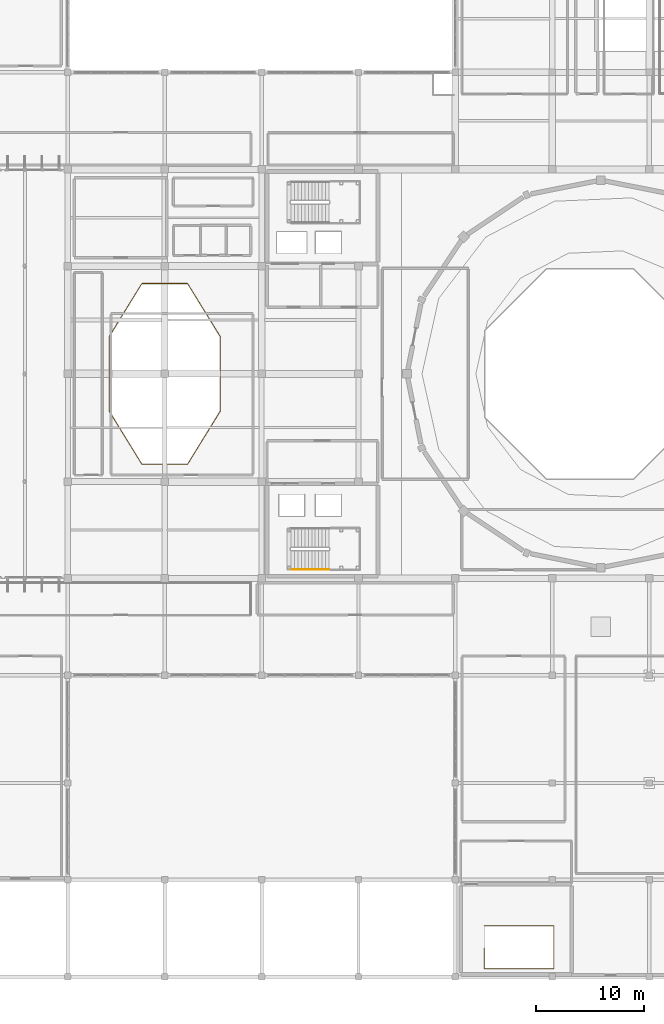
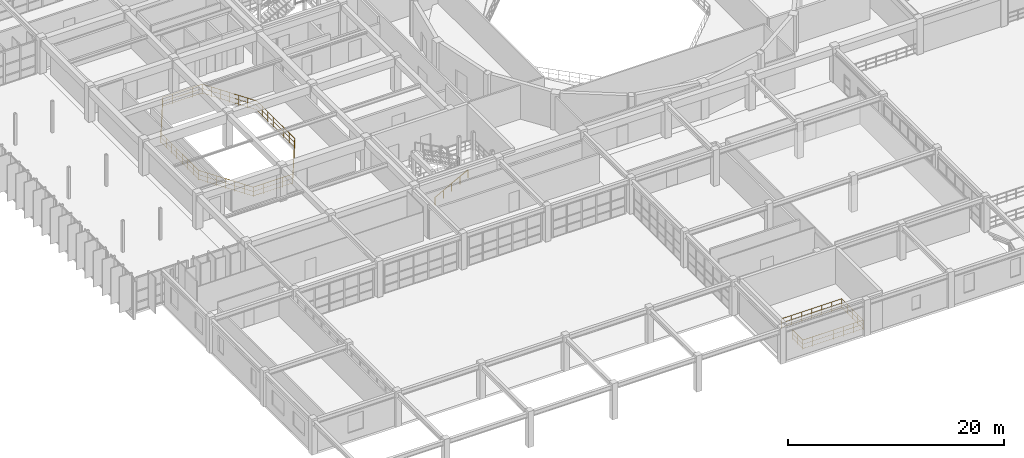
# One storey, part 103 of 110: 3 railings.
"""IFC4 building model written with IfcOpenShell, lengths in metres."""

import ifcopenshell
import ifcopenshell.guid

model = None  # the IFC model being written
_history = None  # IfcOwnerHistory: only IFC2X3 demands one
_inside = {}  # id of a spatial element -> (the spatial element, [elements in it])
_under = {}  # id of a project, library or spatial element -> (it, [spatial elements below it])
_declared = {}  # id of a project -> (the project, [libraries it declares])
_typed = {}  # id of a type object -> (the type object, [elements of that type])
_made_of = {}  # id of a material, layer set ... -> (it, [elements and type objects made of it])


def new_model(schema):
    """Start an empty IFC model of exactly this schema.

    Asked for "IFC4X3", IfcOpenShell would pick the latest addendum, in which some entities
    have other attributes; the version numbers below select the first issue.
    IFC2X3 requires an IfcOwnerHistory on every rooted entity: one is made here for all.
    """
    global model, _history
    if schema == "IFC4X3":
        model = ifcopenshell.file(schema_version=(4, 3, 0, 0))
    else:
        model = ifcopenshell.file(schema=schema)
    _inside.clear()
    _under.clear()
    _declared.clear()
    _typed.clear()
    _made_of.clear()
    _history = None
    if model.schema == "IFC2X3":
        org = make("IfcOrganization", Name="unknown")
        user = make(
            "IfcPersonAndOrganization",
            ThePerson=make("IfcPerson", FamilyName="unknown"),
            TheOrganization=org,
        )
        app = make(
            "IfcApplication",
            ApplicationDeveloper=org,
            Version="unknown",
            ApplicationFullName="unknown",
            ApplicationIdentifier="unknown",
        )
        _history = make(
            "IfcOwnerHistory",
            OwningUser=user,
            OwningApplication=app,
            ChangeAction="ADDED",
            CreationDate=0,
        )
    return model


def make(cls, **values):
    """One entity of the class cls with the attributes given. An attribute that is None is left unset."""
    return model.create_entity(
        cls, **{name: value for name, value in values.items() if value is not None}
    )


def rooted(cls, **values):
    """An entity with a GlobalId (a new one), such as an element, a storey or a relation."""
    return make(cls, GlobalId=ifcopenshell.guid.new(), OwnerHistory=_history, **values)


def si_unit(unit_type, name, prefix=None):
    """IfcSIUnit, for example si_unit("LENGTHUNIT", "METRE", prefix="MILLI")."""
    return make("IfcSIUnit", UnitType=unit_type, Prefix=prefix, Name=name)


def assignment(units):
    """IfcUnitAssignment: the units of a project."""
    return None if units is None else make("IfcUnitAssignment", Units=units)


def point(xyz):
    """IfcCartesianPoint."""
    return None if xyz is None else make("IfcCartesianPoint", Coordinates=xyz)


def direction(xyz):
    """IfcDirection."""
    return None if xyz is None else make("IfcDirection", DirectionRatios=xyz)


def frame(location, z_axis=None, x_axis=None):
    """IfcAxis2Placement3D, a coordinate frame: its origin and axes. An axis left out is left unset."""
    return make(
        "IfcAxis2Placement3D",
        Location=point(location),
        Axis=direction(z_axis),
        RefDirection=direction(x_axis),
    )


def frame_2d(location, x_axis=None):
    """IfcAxis2Placement2D, a coordinate frame in the plane: its origin and x axis."""
    return make(
        "IfcAxis2Placement2D", Location=point(location), RefDirection=direction(x_axis)
    )


def origin():
    """The frame at (0, 0, 0) with its axes left unset."""
    return frame((0.0, 0.0, 0.0))


def origin_2d():
    """The frame at (0, 0) in the plane with its x axis left unset."""
    return frame_2d((0.0, 0.0))


def place(relative_to, where):
    """IfcLocalPlacement: puts the frame where relative to a parent placement (None: the world)."""
    return make(
        "IfcLocalPlacement", PlacementRelTo=relative_to, RelativePlacement=where
    )


def context(
    kind, dimensions, precision=None, world=None, true_north=None, identifier=None
):
    """IfcGeometricRepresentationContext, for example the 3D "Model" context."""
    return make(
        "IfcGeometricRepresentationContext",
        ContextIdentifier=identifier,
        ContextType=kind,
        CoordinateSpaceDimension=dimensions,
        Precision=precision,
        WorldCoordinateSystem=world,
        TrueNorth=true_north,
    )


def subcontext(parent, identifier, kind, view, scale=None):
    """IfcGeometricRepresentationSubContext, for example "Body" below "Model"."""
    return make(
        "IfcGeometricRepresentationSubContext",
        ContextIdentifier=identifier,
        ContextType=kind,
        ParentContext=parent,
        TargetScale=scale,
        TargetView=view,
    )


def project(units=None, contexts=None):
    """IfcProject with its units and contexts."""
    return rooted(
        "IfcProject",
        Name="project",
        RepresentationContexts=contexts,
        UnitsInContext=assignment(units),
    )


def spatial(cls, under=None, at=None, **own):
    """A site, building, storey or space (cls), placed at a placement, below another one or the project."""
    s = rooted(cls, ObjectPlacement=at, **own)
    if under is not None:
        _under.setdefault(under.id(), (under, []))[1].append(s)
    return s


def profile(cls, at=None, kind="AREA", **sizes):
    """A parametric profile (cls). Its sizes go by their IFC names, for example OverallWidth=200.0."""
    return make(cls, ProfileType=kind, Position=at, **sizes)


def circle(**sizes):
    """IfcCircleProfileDef."""
    return profile("IfcCircleProfileDef", **sizes)


def extrude(swept, where, along, depth):
    """IfcExtrudedAreaSolid: the profile swept, set in the frame where, extruded along a direction by depth."""
    return make(
        "IfcExtrudedAreaSolid",
        SweptArea=swept,
        Position=where,
        ExtrudedDirection=direction(along),
        Depth=depth,
    )


def shape(context_of_items, identifier, shape_type, items):
    """IfcShapeRepresentation: the items that make up one representation, for example the "Body"."""
    return make(
        "IfcShapeRepresentation",
        ContextOfItems=context_of_items,
        RepresentationIdentifier=identifier,
        RepresentationType=shape_type,
        Items=items,
    )


def material(Name=None, Category=None):
    """IfcMaterial."""
    return make("IfcMaterial", Name=Name, Category=Category)


def made_of(thing, what):
    """Note that an element or type object is made of a material, layer set ...; save() writes the relation."""
    if what is not None:
        _made_of.setdefault(what.id(), (what, []))[1].append(thing)
    return thing


def type_object(cls, material=None, **own):
    """A type object (cls), such as IfcWallType, which elements share."""
    return made_of(rooted(cls, **own), material)


def element(
    cls,
    number,
    at=None,
    inside=None,
    cuts=None,
    type_object=None,
    material=None,
    context=None,
    identifier="Body",
    shape_type=None,
    held_by="IfcProductDefinitionShape",
    body=None,
    shapes=None,
    **own,
):
    """One element of the class cls, such as IfcWall. Its Tag is "e" and its number.

    at: its placement. inside: the storey or other place that contains it. cuts: it is an
    opening in that element (IfcRelVoidsElement). A single representation is given by context,
    identifier, shape_type and body (its items); several are given by shapes. held_by: the class
    of the entity that holds the representations. save() writes the other relations.
    """
    e = rooted(cls, Tag="e%d" % number, ObjectPlacement=at, **own)
    if body is not None:
        shapes = [shape(context, identifier, shape_type, body)]
    if shapes is not None:
        e.Representation = make(held_by, Representations=shapes)
    if inside is not None:
        _inside.setdefault(inside.id(), (inside, []))[1].append(e)
    if cuts is not None:
        rooted(
            "IfcRelVoidsElement", RelatingBuildingElement=cuts, RelatedOpeningElement=e
        )
    if type_object is not None:
        _typed.setdefault(type_object.id(), (type_object, []))[1].append(e)
    return made_of(e, material)


def aggregate(whole, parts):
    """IfcRelAggregates: a whole, such as a stair, and the parts it consists of."""
    return rooted("IfcRelAggregates", RelatingObject=whole, RelatedObjects=parts)


def save(model, path):
    """Write the relations noted so far, then the file.

    IfcRelAggregates (storeys below a building ...), IfcRelContainedInSpatialStructure (elements
    in a storey), IfcRelDefinesByType, IfcRelAssociatesMaterial and IfcRelDeclares: one each for
    every whole, place, type object, material and project.
    """
    for whole, parts in _under.values():
        aggregate(whole, parts)
    for where, things in _inside.values():
        rooted(
            "IfcRelContainedInSpatialStructure",
            RelatedElements=things,
            RelatingStructure=where,
        )
    for kind, things in _typed.values():
        rooted("IfcRelDefinesByType", RelatedObjects=things, RelatingType=kind)
    for what, things in _made_of.values():
        rooted("IfcRelAssociatesMaterial", RelatedObjects=things, RelatingMaterial=what)
    for by, libraries in _declared.values():
        rooted("IfcRelDeclares", RelatingContext=by, RelatedDefinitions=libraries)
    model.write(path)


model = new_model("IFC4")

# Units and contexts
model_context = context("Model", 3, precision=1e-05, world=origin(), true_north=direction((0.0, 1.0)))
body_context = subcontext(model_context, "Body", "Model", "MODEL_VIEW")
ifc_project = project(units=[si_unit("LENGTHUNIT", "METRE"), si_unit("AREAUNIT", "SQUARE_METRE"), si_unit("VOLUMEUNIT", "CUBIC_METRE"), si_unit("PLANEANGLEUNIT", "RADIAN"), si_unit("MASSUNIT", "GRAM", prefix="KILO")], contexts=[model_context])

# Site, building, storey
site_placement = place(None, origin())
site = spatial("IfcSite", under=ifc_project, at=site_placement, CompositionType="ELEMENT")
building_placement = place(site_placement, origin())
building = spatial("IfcBuilding", under=site, at=building_placement, Name="Miravela Opera House", CompositionType="ELEMENT")
storey_placement = place(building_placement, frame((0.0, 0.0, 13.60009765625)))
storey = spatial("IfcBuildingStorey", under=building, at=storey_placement, Name="L03", CompositionType="ELEMENT", Elevation=13.60009765625)

# Railings
ifc_material_1 = material(Name="Architectural bronze foyer balustrade")
railing_type_1 = type_object("IfcRailingType", Name="ARC-RAIL-ATRIUM-BAL", PredefinedType="BALUSTRADE", material=ifc_material_1)
railing_1_placement = place(storey_placement, frame((41.1474609375, 59.489013671875, 0.0)))
element("IfcRailing", 1, at=railing_1_placement, inside=storey, type_object=railing_type_1, Name="L03 Void Perimeter Balustrade 0163", PredefinedType="BALUSTRADE", context=body_context, shape_type="SweptSolid", body=[
    extrude(circle(Radius=0.02587890625, at=origin_2d()), frame((0.0, 0.0, 1.11376953125), z_axis=(-0.524773552974, 0.851241868154, 0.0), x_axis=(-0.851241868154, -0.524773552974, 0.0)), (0.0, 0.0, 1.0), 5.760498046875),
    extrude(circle(Radius=0.01611328125, at=origin_2d()), frame((0.0, 0.0, 0.626953125), z_axis=(-0.524773552974, 0.851241868154, 0.0), x_axis=(-0.851241868154, -0.524773552974, 0.0)), (0.0, 0.0, 1.0), 5.760498046875),
    extrude(circle(Radius=0.01611328125, at=origin_2d()), frame((0.0, 0.0, 0.1201171875), z_axis=(-0.524773552974, 0.851241868154, 0.0), x_axis=(-0.851241868154, -0.524773552974, 0.0)), (0.0, 0.0, 1.0), 5.760498046875),
    extrude(circle(Radius=0.02587890625, at=origin_2d()), frame((-3.02294921875, 4.903564453125, 1.11376953125), z_axis=(-1.0, 0.0, 0.0), x_axis=(0.0, -1.0, 0.0)), (0.0, 0.0, 1.0), 4.2490234375),
    extrude(circle(Radius=0.01611328125, at=origin_2d()), frame((-3.02294921875, 4.903564453125, 0.626953125), z_axis=(-1.0, 0.0, 0.0), x_axis=(0.0, -1.0, 0.0)), (0.0, 0.0, 1.0), 4.2490234375),
    extrude(circle(Radius=0.01611328125, at=origin_2d()), frame((-3.02294921875, 4.903564453125, 0.1201171875), z_axis=(-1.0, 0.0, 0.0), x_axis=(0.0, -1.0, 0.0)), (0.0, 0.0, 1.0), 4.2490234375),
    extrude(circle(Radius=0.02587890625, at=origin_2d()), frame((-7.27197265625, 4.903564453125, 1.11376953125), z_axis=(-0.524773552974, -0.851241868154, 0.0), x_axis=(0.851241868154, -0.524773552974, 0.0)), (0.0, 0.0, 1.0), 5.760498046875),
    extrude(circle(Radius=0.01611328125, at=origin_2d()), frame((-7.27197265625, 4.903564453125, 0.626953125), z_axis=(-0.524773552974, -0.851241868154, 0.0), x_axis=(0.851241868154, -0.524773552974, 0.0)), (0.0, 0.0, 1.0), 5.760498046875),
    extrude(circle(Radius=0.01611328125, at=origin_2d()), frame((-7.27197265625, 4.903564453125, 0.1201171875), z_axis=(-0.524773552974, -0.851241868154, 0.0), x_axis=(0.851241868154, -0.524773552974, 0.0)), (0.0, 0.0, 1.0), 5.760498046875),
    extrude(circle(Radius=0.02587890625, at=origin_2d()), frame((-10.294921875, 0.0, 1.11376953125), z_axis=(0.0, -1.0, 0.0), x_axis=(1.0, 0.0, 0.0)), (0.0, 0.0, 1.0), 6.97802734375),
    extrude(circle(Radius=0.01611328125, at=origin_2d()), frame((-10.294921875, 0.0, 0.626953125), z_axis=(0.0, -1.0, 0.0), x_axis=(1.0, 0.0, 0.0)), (0.0, 0.0, 1.0), 6.97802734375),
    extrude(circle(Radius=0.01611328125, at=origin_2d()), frame((-10.294921875, 0.0, 0.1201171875), z_axis=(0.0, -1.0, 0.0), x_axis=(1.0, 0.0, 0.0)), (0.0, 0.0, 1.0), 6.97802734375),
    extrude(circle(Radius=0.02587890625, at=origin_2d()), frame((-10.294921875, -6.97802734375, 1.11376953125), z_axis=(0.524773552974, -0.851241868154, 0.0), x_axis=(0.851241868154, 0.524773552974, 0.0)), (0.0, 0.0, 1.0), 5.760498046875),
    extrude(circle(Radius=0.01611328125, at=origin_2d()), frame((-10.294921875, -6.97802734375, 0.626953125), z_axis=(0.524773552974, -0.851241868154, 0.0), x_axis=(0.851241868154, 0.524773552974, 0.0)), (0.0, 0.0, 1.0), 5.760498046875),
    extrude(circle(Radius=0.01611328125, at=origin_2d()), frame((-10.294921875, -6.97802734375, 0.1201171875), z_axis=(0.524773552974, -0.851241868154, 0.0), x_axis=(0.851241868154, 0.524773552974, 0.0)), (0.0, 0.0, 1.0), 5.760498046875),
    extrude(circle(Radius=0.02587890625, at=origin_2d()), frame((-7.27197265625, -11.881591796875, 1.11376953125), z_axis=(1.0, 0.0, 0.0), x_axis=(0.0, 1.0, 0.0)), (0.0, 0.0, 1.0), 4.2490234375),
    extrude(circle(Radius=0.01611328125, at=origin_2d()), frame((-7.27197265625, -11.881591796875, 0.626953125), z_axis=(1.0, 0.0, 0.0), x_axis=(0.0, 1.0, 0.0)), (0.0, 0.0, 1.0), 4.2490234375),
    extrude(circle(Radius=0.01611328125, at=origin_2d()), frame((-7.27197265625, -11.881591796875, 0.1201171875), z_axis=(1.0, 0.0, 0.0), x_axis=(0.0, 1.0, 0.0)), (0.0, 0.0, 1.0), 4.2490234375),
    extrude(circle(Radius=0.02587890625, at=origin_2d()), frame((-3.02294921875, -11.881591796875, 1.11376953125), z_axis=(0.524773552974, 0.851241868154, 0.0), x_axis=(-0.851241868154, 0.524773552974, 0.0)), (0.0, 0.0, 1.0), 5.760498046875),
    extrude(circle(Radius=0.01611328125, at=origin_2d()), frame((-3.02294921875, -11.881591796875, 0.626953125), z_axis=(0.524773552974, 0.851241868154, 0.0), x_axis=(-0.851241868154, 0.524773552974, 0.0)), (0.0, 0.0, 1.0), 5.760498046875),
    extrude(circle(Radius=0.01611328125, at=origin_2d()), frame((-3.02294921875, -11.881591796875, 0.1201171875), z_axis=(0.524773552974, 0.851241868154, 0.0), x_axis=(-0.851241868154, 0.524773552974, 0.0)), (0.0, 0.0, 1.0), 5.760498046875),
    extrude(circle(Radius=0.02587890625, at=origin_2d()), frame((0.0, -6.97802734375, 1.11376953125), z_axis=(0.0, 1.0, 0.0), x_axis=(-1.0, 0.0, 0.0)), (0.0, 0.0, 1.0), 6.97802734375),
    extrude(circle(Radius=0.01611328125, at=origin_2d()), frame((0.0, -6.97802734375, 0.626953125), z_axis=(0.0, 1.0, 0.0), x_axis=(-1.0, 0.0, 0.0)), (0.0, 0.0, 1.0), 6.97802734375),
    extrude(circle(Radius=0.01611328125, at=origin_2d()), frame((0.0, -6.97802734375, 0.1201171875), z_axis=(0.0, 1.0, 0.0), x_axis=(-1.0, 0.0, 0.0)), (0.0, 0.0, 1.0), 6.97802734375),
    extrude(circle(Radius=0.02099609375, at=origin_2d()), origin(), (0.0, 0.0, 1.0), 1.087890625),
    extrude(circle(Radius=0.02099609375, at=origin_2d()), frame((-0.50390625, 0.8173828125, 0.0)), (0.0, 0.0, 1.0), 1.087890625),
    extrude(circle(Radius=0.02099609375, at=origin_2d()), frame((-1.007568359375, 1.634521484375, 0.0)), (0.0, 0.0, 1.0), 1.087890625),
    extrude(circle(Radius=0.02099609375, at=origin_2d()), frame((-1.511474609375, 2.45166015625, 0.0)), (0.0, 0.0, 1.0), 1.087890625),
    extrude(circle(Radius=0.02099609375, at=origin_2d()), frame((-2.015380859375, 3.26904296875, 0.0)), (0.0, 0.0, 1.0), 1.087890625),
    extrude(circle(Radius=0.02099609375, at=origin_2d()), frame((-2.51904296875, 4.08642578125, 0.0)), (0.0, 0.0, 1.0), 1.087890625),
    extrude(circle(Radius=0.02099609375, at=origin_2d()), frame((-3.02294921875, 4.903564453125, 0.0)), (0.0, 0.0, 1.0), 1.087890625),
    extrude(circle(Radius=0.02099609375, at=origin_2d()), frame((-4.085205078125, 4.903564453125, 0.0)), (0.0, 0.0, 1.0), 1.087890625),
    extrude(circle(Radius=0.02099609375, at=origin_2d()), frame((-5.1474609375, 4.903564453125, 0.0)), (0.0, 0.0, 1.0), 1.087890625),
    extrude(circle(Radius=0.02099609375, at=origin_2d()), frame((-6.209716796875, 4.903564453125, 0.0)), (0.0, 0.0, 1.0), 1.087890625),
    extrude(circle(Radius=0.02099609375, at=origin_2d()), frame((-7.27197265625, 4.903564453125, 0.0)), (0.0, 0.0, 1.0), 1.087890625),
    extrude(circle(Radius=0.02099609375, at=origin_2d()), frame((-7.77587890625, 4.08642578125, 0.0)), (0.0, 0.0, 1.0), 1.087890625),
    extrude(circle(Radius=0.02099609375, at=origin_2d()), frame((-8.279541015625, 3.26904296875, 0.0)), (0.0, 0.0, 1.0), 1.087890625),
    extrude(circle(Radius=0.02099609375, at=origin_2d()), frame((-8.783447265625, 2.45166015625, 0.0)), (0.0, 0.0, 1.0), 1.087890625),
    extrude(circle(Radius=0.02099609375, at=origin_2d()), frame((-9.287353515625, 1.634521484375, 0.0)), (0.0, 0.0, 1.0), 1.087890625),
    extrude(circle(Radius=0.02099609375, at=origin_2d()), frame((-9.791015625, 0.8173828125, 0.0)), (0.0, 0.0, 1.0), 1.087890625),
    extrude(circle(Radius=0.02099609375, at=origin_2d()), frame((-10.294921875, 0.0, 0.0)), (0.0, 0.0, 1.0), 1.087890625),
    extrude(circle(Radius=0.02099609375, at=origin_2d()), frame((-10.294921875, -0.996826171875, 0.0)), (0.0, 0.0, 1.0), 1.087890625),
    extrude(circle(Radius=0.02099609375, at=origin_2d()), frame((-10.294921875, -1.99365234375, 0.0)), (0.0, 0.0, 1.0), 1.087890625),
    extrude(circle(Radius=0.02099609375, at=origin_2d()), frame((-10.294921875, -2.990478515625, 0.0)), (0.0, 0.0, 1.0), 1.087890625),
    extrude(circle(Radius=0.02099609375, at=origin_2d()), frame((-10.294921875, -3.987548828125, 0.0)), (0.0, 0.0, 1.0), 1.087890625),
    extrude(circle(Radius=0.02099609375, at=origin_2d()), frame((-10.294921875, -4.984375, 0.0)), (0.0, 0.0, 1.0), 1.087890625),
    extrude(circle(Radius=0.02099609375, at=origin_2d()), frame((-10.294921875, -5.981201171875, 0.0)), (0.0, 0.0, 1.0), 1.087890625),
    extrude(circle(Radius=0.02099609375, at=origin_2d()), frame((-10.294921875, -6.97802734375, 0.0)), (0.0, 0.0, 1.0), 1.087890625),
    extrude(circle(Radius=0.02099609375, at=origin_2d()), frame((-9.791015625, -7.79541015625, 0.0)), (0.0, 0.0, 1.0), 1.087890625),
    extrude(circle(Radius=0.02099609375, at=origin_2d()), frame((-9.287353515625, -8.612548828125, 0.0)), (0.0, 0.0, 1.0), 1.087890625),
    extrude(circle(Radius=0.02099609375, at=origin_2d()), frame((-8.783447265625, -9.4296875, 0.0)), (0.0, 0.0, 1.0), 1.087890625),
    extrude(circle(Radius=0.02099609375, at=origin_2d()), frame((-8.279541015625, -10.2470703125, 0.0)), (0.0, 0.0, 1.0), 1.087890625),
    extrude(circle(Radius=0.02099609375, at=origin_2d()), frame((-7.77587890625, -11.064453125, 0.0)), (0.0, 0.0, 1.0), 1.087890625),
    extrude(circle(Radius=0.02099609375, at=origin_2d()), frame((-7.27197265625, -11.881591796875, 0.0)), (0.0, 0.0, 1.0), 1.087890625),
    extrude(circle(Radius=0.02099609375, at=origin_2d()), frame((-6.209716796875, -11.881591796875, 0.0)), (0.0, 0.0, 1.0), 1.087890625),
    extrude(circle(Radius=0.02099609375, at=origin_2d()), frame((-5.1474609375, -11.881591796875, 0.0)), (0.0, 0.0, 1.0), 1.087890625),
    extrude(circle(Radius=0.02099609375, at=origin_2d()), frame((-4.085205078125, -11.881591796875, 0.0)), (0.0, 0.0, 1.0), 1.087890625),
    extrude(circle(Radius=0.02099609375, at=origin_2d()), frame((-3.02294921875, -11.881591796875, 0.0)), (0.0, 0.0, 1.0), 1.087890625),
    extrude(circle(Radius=0.02099609375, at=origin_2d()), frame((-2.51904296875, -11.064453125, 0.0)), (0.0, 0.0, 1.0), 1.087890625),
    extrude(circle(Radius=0.02099609375, at=origin_2d()), frame((-2.015380859375, -10.2470703125, 0.0)), (0.0, 0.0, 1.0), 1.087890625),
    extrude(circle(Radius=0.02099609375, at=origin_2d()), frame((-1.511474609375, -9.4296875, 0.0)), (0.0, 0.0, 1.0), 1.087890625),
    extrude(circle(Radius=0.02099609375, at=origin_2d()), frame((-1.007568359375, -8.612548828125, 0.0)), (0.0, 0.0, 1.0), 1.087890625),
    extrude(circle(Radius=0.02099609375, at=origin_2d()), frame((-0.50390625, -7.79541015625, 0.0)), (0.0, 0.0, 1.0), 1.087890625),
    extrude(circle(Radius=0.02099609375, at=origin_2d()), frame((0.0, -6.97802734375, 0.0)), (0.0, 0.0, 1.0), 1.087890625),
    extrude(circle(Radius=0.02099609375, at=origin_2d()), frame((0.0, -5.981201171875, 0.0)), (0.0, 0.0, 1.0), 1.087890625),
    extrude(circle(Radius=0.02099609375, at=origin_2d()), frame((0.0, -4.984375, 0.0)), (0.0, 0.0, 1.0), 1.087890625),
    extrude(circle(Radius=0.02099609375, at=origin_2d()), frame((0.0, -3.987548828125, 0.0)), (0.0, 0.0, 1.0), 1.087890625),
    extrude(circle(Radius=0.02099609375, at=origin_2d()), frame((0.0, -2.990478515625, 0.0)), (0.0, 0.0, 1.0), 1.087890625),
    extrude(circle(Radius=0.02099609375, at=origin_2d()), frame((0.0, -1.99365234375, 0.0)), (0.0, 0.0, 1.0), 1.087890625),
    extrude(circle(Radius=0.02099609375, at=origin_2d()), frame((0.0, -0.996826171875, 0.0)), (0.0, 0.0, 1.0), 1.087890625),
])
ifc_material_2 = material(Name="Brushed bronze continuous stair handrail")
railing_type_2 = type_object("IfcRailingType", Name="ARC-RAIL-HAND-900", PredefinedType="HANDRAIL", material=ifc_material_2)
railing_2_placement = place(storey_placement, frame((47.739990234375, 37.85009765625, 0.169921875)))
element("IfcRailing", 2, at=railing_2_placement, inside=storey, type_object=railing_type_2, Name="L03 ST-02 stair handrail 1", PredefinedType="HANDRAIL", context=body_context, shape_type="SweptSolid", body=[
    extrude(circle(Radius=0.02392578125, at=origin_2d()), frame((0.0, 0.0, 0.8759765625), z_axis=(0.883129994055, 0.0, 0.469128355144), x_axis=(0.0, 1.0, 0.0)), (0.0, 0.0, 1.0), 3.98583984375),
    extrude(circle(Radius=0.02099609375, at=origin_2d()), origin(), (0.0, 0.0, 1.0), 0.851806640625),
    extrude(circle(Radius=0.02099609375, at=origin_2d()), frame((0.8798828125, 0.0, 0.467529296875)), (0.0, 0.0, 1.0), 0.851806640625),
    extrude(circle(Radius=0.02099609375, at=origin_2d()), frame((1.760009765625, 0.0, 0.93505859375)), (0.0, 0.0, 1.0), 0.851806640625),
    extrude(circle(Radius=0.02099609375, at=origin_2d()), frame((2.64013671875, 0.0, 1.40234375)), (0.0, 0.0, 1.0), 0.851806640625),
    extrude(circle(Radius=0.02099609375, at=origin_2d()), frame((3.52001953125, 0.0, 1.869873046875)), (0.0, 0.0, 1.0), 0.851806640625),
])
ifc_material_3 = material(Name="Painted wrought-iron stair guardrail")
railing_type_3 = type_object("IfcRailingType", Name="ARC-RAIL-STAIR-GUARD", PredefinedType="GUARDRAIL", material=ifc_material_3)
railing_3_placement = place(storey_placement, frame((65.68994140625, 2.669921875, 0.0)))
element("IfcRailing", 3, at=railing_3_placement, inside=storey, type_object=railing_type_3, Name="Stair ST-06 Well Slab Opening Guard (L03) 0066", PredefinedType="GUARDRAIL", context=body_context, shape_type="SweptSolid", body=[
    extrude(circle(Radius=0.02392578125, at=origin_2d()), frame((0.0, 0.0, 1.076171875), z_axis=(0.0, -1.0, 0.0), x_axis=(1.0, 0.0, 0.0)), (0.0, 0.0, 1.0), 1.919921875),
    extrude(circle(Radius=0.01611328125, at=origin_2d()), frame((0.0, 0.0, 0.60498046875), z_axis=(0.0, -1.0, 0.0), x_axis=(1.0, 0.0, 0.0)), (0.0, 0.0, 1.0), 1.919921875),
    extrude(circle(Radius=0.01611328125, at=origin_2d()), frame((0.0, 0.0, 0.1201171875), z_axis=(0.0, -1.0, 0.0), x_axis=(1.0, 0.0, 0.0)), (0.0, 0.0, 1.0), 1.919921875),
    extrude(circle(Radius=0.02392578125, at=origin_2d()), frame((0.0, -1.919921875, 1.076171875), z_axis=(1.0, 0.0, 0.0), x_axis=(0.0, 1.0, 0.0)), (0.0, 0.0, 1.0), 6.4599609375),
    extrude(circle(Radius=0.01611328125, at=origin_2d()), frame((0.0, -1.919921875, 0.60498046875), z_axis=(1.0, 0.0, 0.0), x_axis=(0.0, 1.0, 0.0)), (0.0, 0.0, 1.0), 6.4599609375),
    extrude(circle(Radius=0.01611328125, at=origin_2d()), frame((0.0, -1.919921875, 0.1201171875), z_axis=(1.0, 0.0, 0.0), x_axis=(0.0, 1.0, 0.0)), (0.0, 0.0, 1.0), 6.4599609375),
    extrude(circle(Radius=0.02392578125, at=origin_2d()), frame((6.4599609375, -1.919921875, 1.076171875), z_axis=(0.0, 1.0, 0.0), x_axis=(-1.0, 0.0, 0.0)), (0.0, 0.0, 1.0), 3.97998046875),
    extrude(circle(Radius=0.01611328125, at=origin_2d()), frame((6.4599609375, -1.919921875, 0.60498046875), z_axis=(0.0, 1.0, 0.0), x_axis=(-1.0, 0.0, 0.0)), (0.0, 0.0, 1.0), 3.97998046875),
    extrude(circle(Radius=0.01611328125, at=origin_2d()), frame((6.4599609375, -1.919921875, 0.1201171875), z_axis=(0.0, 1.0, 0.0), x_axis=(-1.0, 0.0, 0.0)), (0.0, 0.0, 1.0), 3.97998046875),
    extrude(circle(Radius=0.02392578125, at=origin_2d()), frame((6.4599609375, 2.06005859375, 1.076171875), z_axis=(-1.0, 0.0, 0.0), x_axis=(0.0, -1.0, 0.0)), (0.0, 0.0, 1.0), 6.4599609375),
    extrude(circle(Radius=0.01611328125, at=origin_2d()), frame((6.4599609375, 2.06005859375, 0.60498046875), z_axis=(-1.0, 0.0, 0.0), x_axis=(0.0, -1.0, 0.0)), (0.0, 0.0, 1.0), 6.4599609375),
    extrude(circle(Radius=0.01611328125, at=origin_2d()), frame((6.4599609375, 2.06005859375, 0.1201171875), z_axis=(-1.0, 0.0, 0.0), x_axis=(0.0, -1.0, 0.0)), (0.0, 0.0, 1.0), 6.4599609375),
    extrude(circle(Radius=0.02099609375, at=origin_2d()), origin(), (0.0, 0.0, 1.0), 1.052001953125),
    extrude(circle(Radius=0.02099609375, at=origin_2d()), frame((0.0, -0.9599609375, 0.0)), (0.0, 0.0, 1.0), 1.052001953125),
    extrude(circle(Radius=0.02099609375, at=origin_2d()), frame((0.0, -1.919921875, 0.0)), (0.0, 0.0, 1.0), 1.052001953125),
    extrude(circle(Radius=0.02099609375, at=origin_2d()), frame((1.07666015625, -1.919921875, 0.0)), (0.0, 0.0, 1.0), 1.052001953125),
    extrude(circle(Radius=0.02099609375, at=origin_2d()), frame((2.1533203125, -1.919921875, 0.0)), (0.0, 0.0, 1.0), 1.052001953125),
    extrude(circle(Radius=0.02099609375, at=origin_2d()), frame((3.22998046875, -1.919921875, 0.0)), (0.0, 0.0, 1.0), 1.052001953125),
    extrude(circle(Radius=0.02099609375, at=origin_2d()), frame((4.306640625, -1.919921875, 0.0)), (0.0, 0.0, 1.0), 1.052001953125),
    extrude(circle(Radius=0.02099609375, at=origin_2d()), frame((5.38330078125, -1.919921875, 0.0)), (0.0, 0.0, 1.0), 1.052001953125),
    extrude(circle(Radius=0.02099609375, at=origin_2d()), frame((6.4599609375, -1.919921875, 0.0)), (0.0, 0.0, 1.0), 1.052001953125),
    extrude(circle(Radius=0.02099609375, at=origin_2d()), frame((6.4599609375, -0.9248046875, 0.0)), (0.0, 0.0, 1.0), 1.052001953125),
    extrude(circle(Radius=0.02099609375, at=origin_2d()), frame((6.4599609375, 0.070068359375, 0.0)), (0.0, 0.0, 1.0), 1.052001953125),
    extrude(circle(Radius=0.02099609375, at=origin_2d()), frame((6.4599609375, 1.06494140625, 0.0)), (0.0, 0.0, 1.0), 1.052001953125),
    extrude(circle(Radius=0.02099609375, at=origin_2d()), frame((6.4599609375, 2.06005859375, 0.0)), (0.0, 0.0, 1.0), 1.052001953125),
    extrude(circle(Radius=0.02099609375, at=origin_2d()), frame((5.38330078125, 2.06005859375, 0.0)), (0.0, 0.0, 1.0), 1.052001953125),
    extrude(circle(Radius=0.02099609375, at=origin_2d()), frame((4.306640625, 2.06005859375, 0.0)), (0.0, 0.0, 1.0), 1.052001953125),
    extrude(circle(Radius=0.02099609375, at=origin_2d()), frame((3.22998046875, 2.06005859375, 0.0)), (0.0, 0.0, 1.0), 1.052001953125),
    extrude(circle(Radius=0.02099609375, at=origin_2d()), frame((2.1533203125, 2.06005859375, 0.0)), (0.0, 0.0, 1.0), 1.052001953125),
    extrude(circle(Radius=0.02099609375, at=origin_2d()), frame((1.07666015625, 2.06005859375, 0.0)), (0.0, 0.0, 1.0), 1.052001953125),
    extrude(circle(Radius=0.02099609375, at=origin_2d()), frame((0.0, 2.06005859375, 0.0)), (0.0, 0.0, 1.0), 1.052001953125),
])

save(model, "model.ifc")
